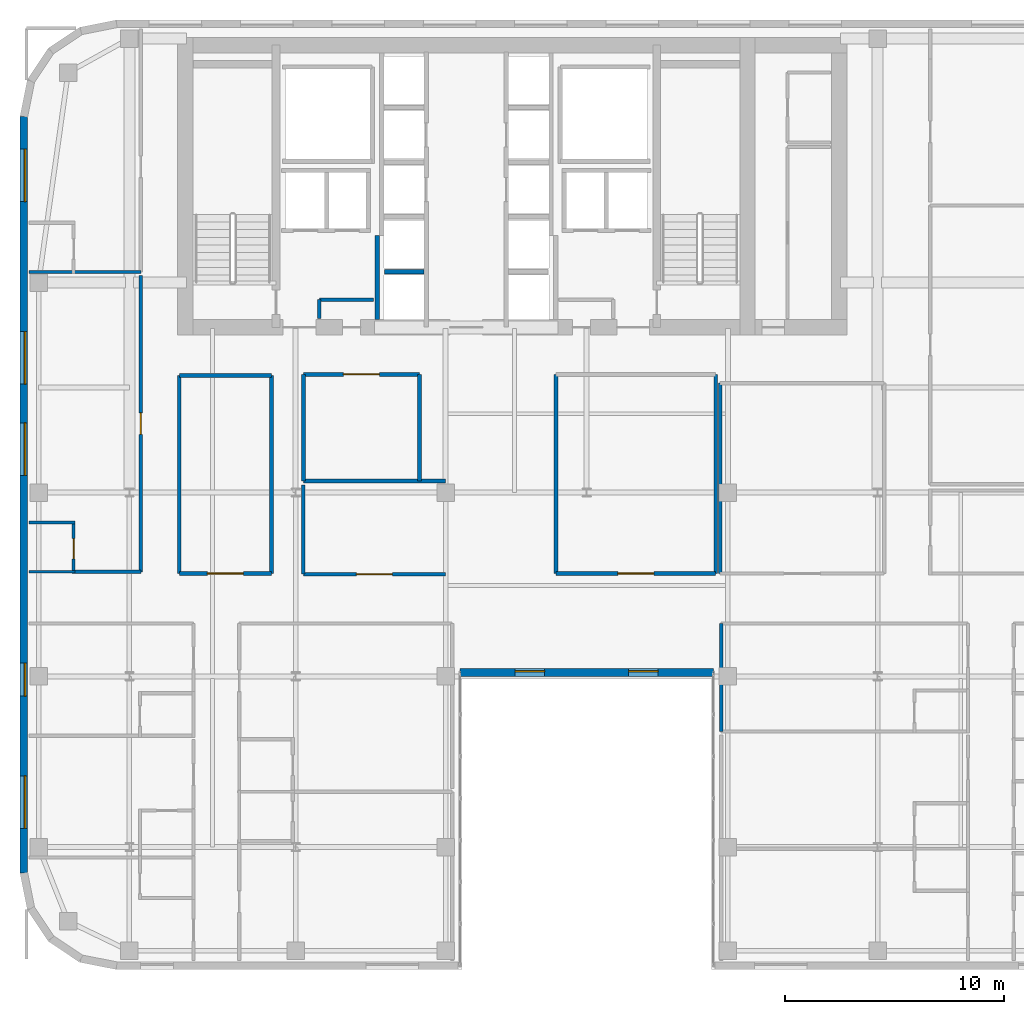
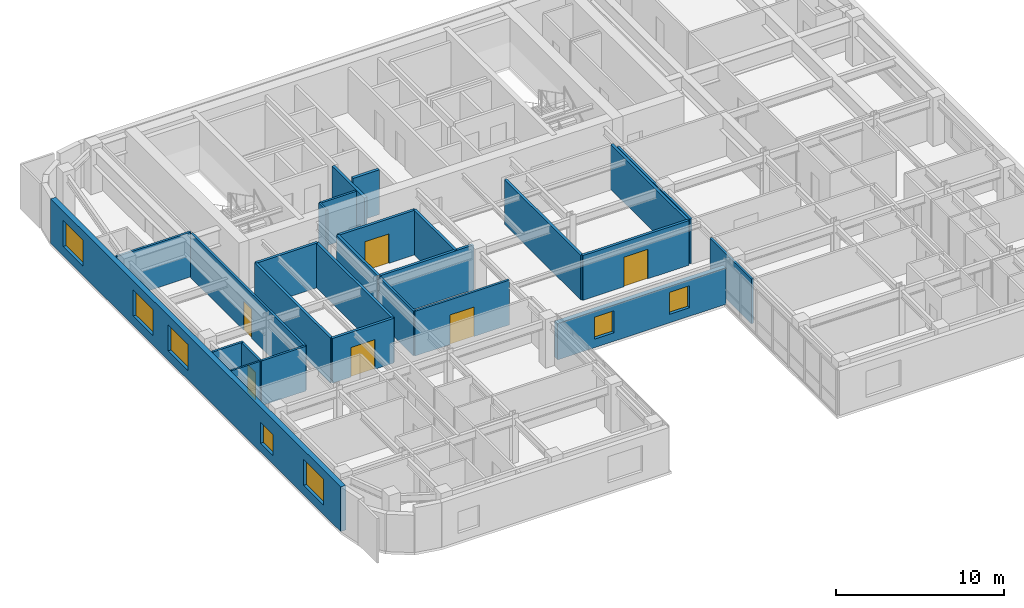
# One storey, part 8 of 14: 27 walls, 7 windows, 6 doors, 13 openings.
"""IFC4 building model written with IfcOpenShell, lengths in metres."""

from ifc_helpers import new_model, si_unit, direction, frame, frame_2d, origin, place, context, subcontext, project, spatial, rectangle, extrude, source, transform, mapped, material, layer, layer_set, type_object, type_shapes, element, fill, save


model = new_model("IFC4")

# Units and contexts
model_context = context("Model", 3, precision=1e-05, world=origin(), true_north=direction((0.0, 1.0)))
body_context = subcontext(model_context, "Body", "Model", "MODEL_VIEW")
ifc_project = project(units=[si_unit("LENGTHUNIT", "METRE"), si_unit("AREAUNIT", "SQUARE_METRE"), si_unit("VOLUMEUNIT", "CUBIC_METRE"), si_unit("PLANEANGLEUNIT", "RADIAN"), si_unit("MASSUNIT", "GRAM", prefix="KILO")], contexts=[model_context])

# Site, building, storey
site_placement = place(None, origin())
site = spatial("IfcSite", under=ifc_project, at=site_placement, CompositionType="ELEMENT")
building_placement = place(site_placement, origin())
building = spatial("IfcBuilding", under=site, at=building_placement, Name="Tolvann Quenvar Hotel", CompositionType="ELEMENT")
storey_placement = place(building_placement, frame((0.0, 0.0, 179.0)))
storey = spatial("IfcBuildingStorey", under=building, at=storey_placement, Name="L47", CompositionType="ELEMENT", Elevation=179.0)

# Wall, openings, windows
ifc_material_1 = material(Name="Kiln-fired red and buff architectural clay brickwork and terracotta masonry", Category="masonry")
ifc_layer_1 = layer(ifc_material_1, 0.35009765625)
ifc_layer_set_1 = layer_set([ifc_layer_1], Name="Kiln-fired red and buff architectural clay brickwork and terracotta masonry")
wall_type_1 = type_object("IfcWallType", Name="WALL_EXT_BRICK_350", PredefinedType="SOLIDWALL", material=ifc_layer_set_1)
wall_1_placement = place(storey_placement, frame((22.7099609375, 16.175048828125, 0.0), z_axis=(0.0, 0.0, 1.0), x_axis=(1.0, 0.0, 0.0)))
wall_1 = element("IfcWall", 1, at=wall_1_placement, inside=storey, type_object=wall_type_1, Name="Exterior Chicago Brick Wall L47-E06", PredefinedType="SOLIDWALL", context=body_context, shape_type="SweptSolid", body=[
    extrude(rectangle(XDim=11.580078125, YDim=0.35009765625, at=frame_2d((5.7900390625, 0.0))), origin(), (0.0, 0.0, 1.0), 2.637939453125),
])
opening_1_placement = place(wall_1_placement, frame((2.52001953125, 0.0, 0.6201171875)))
opening_1 = element("IfcOpeningElement", 2, at=opening_1_placement, cuts=wall_1, Name="Opening W-11", PredefinedType="OPENING", context=body_context, shape_type="SweptSolid", body=[
    extrude(rectangle(XDim=1.35009765625, YDim=1.60009765625, at=frame_2d((0.675048828125, 0.800048828125))), frame((0.0, 0.18505859375, 0.0), z_axis=(0.0, -1.0, 0.0), x_axis=(1.0, 0.0, 0.0)), (0.0, 0.0, 1.0), 0.3701171875),
])
opening_2_placement = place(wall_1_placement, frame((7.7099609375, 0.0, 0.6201171875)))
opening_2 = element("IfcOpeningElement", 3, at=opening_2_placement, cuts=wall_1, Name="Opening W-11", PredefinedType="OPENING", context=body_context, shape_type="SweptSolid", body=[
    extrude(rectangle(XDim=1.35009765625, YDim=1.60009765625, at=frame_2d((0.675048828125, 0.800048828125))), frame((0.0, 0.18505859375, 0.0), z_axis=(0.0, -1.0, 0.0), x_axis=(1.0, 0.0, 0.0)), (0.0, 0.0, 1.0), 0.3701171875),
])
ifc_material_2 = material(Name="Thermally broken bronze-anodised aluminium frame with double low-E glazing", Category="aluminium")
window_type_1 = type_object("IfcWindowType", Name="WIN_ACC_1350x1650", PartitioningType="SINGLE_PANEL", PredefinedType="WINDOW", material=ifc_material_2)
shared_shape_1 = source(origin(), body_context, "Body", "SweptSolid", [
    extrude(rectangle(XDim=1.35009765625, YDim=1.60009765625, at=frame_2d((0.675048828125, 0.800048828125))), frame((0.0, 0.090087890625, 0.0), z_axis=(0.0, -1.0, 0.0), x_axis=(1.0, 0.0, 0.0)), (0.0, 0.0, 1.0), 0.06005859375),
])
type_shapes(window_type_1, [shared_shape_1])
window_1_placement = place(opening_1_placement, origin())
window_1 = element("IfcWindow", 4, at=window_1_placement, inside=storey, type_object=window_type_1, Name="Chicago Window W-11 (EW-L47-E06-W01)", OverallHeight=1.60009765625, OverallWidth=1.35009765625, PartitioningType="SINGLE_PANEL", PredefinedType="WINDOW", context=body_context, shape_type="MappedRepresentation", body=[
    mapped(shared_shape_1, transform((0.0, 0.0, 0.0), x_axis=(1.0, 0.0, 0.0), y_axis=(0.0, 1.0, 0.0), z_axis=(0.0, 0.0, 1.0), scale=1.0)),
])
fill(opening_1, window_1)
window_2_placement = place(opening_2_placement, origin())
window_2 = element("IfcWindow", 5, at=window_2_placement, inside=storey, type_object=window_type_1, Name="Chicago Window W-11 (EW-L47-E06-W02)", OverallHeight=1.60009765625, OverallWidth=1.35009765625, PartitioningType="SINGLE_PANEL", PredefinedType="WINDOW", context=body_context, shape_type="MappedRepresentation", body=[
    mapped(shared_shape_1, transform((0.0, 0.0, 0.0), x_axis=(1.0, 0.0, 0.0), y_axis=(0.0, 1.0, 0.0), z_axis=(0.0, 0.0, 1.0), scale=1.0)),
])
fill(opening_2, window_2)

wall_2_placement = place(storey_placement, frame((2.77490234375, 41.582763671875, 0.0), z_axis=(0.0, 0.0, 1.0), x_axis=(0.0, -1.0, 0.0)))
wall_2 = element("IfcWall", 6, at=wall_2_placement, inside=storey, type_object=wall_type_1, Name="Exterior Chicago Brick Wall L47-E23", PredefinedType="SOLIDWALL", context=body_context, shape_type="SweptSolid", body=[
    extrude(rectangle(XDim=34.565673828125, YDim=0.35009765625, at=frame_2d((17.28271484375, 0.0))), origin(), (0.0, 0.0, 1.0), 3.25),
])
opening_3_placement = place(wall_2_placement, frame((1.485107421875, 0.0, 0.679931640625)))
opening_3 = element("IfcOpeningElement", 7, at=opening_3_placement, cuts=wall_2, Name="Opening W-01", PredefinedType="OPENING", context=body_context, shape_type="SweptSolid", body=[
    extrude(rectangle(XDim=2.39990234375, YDim=1.89990234375, at=frame_2d((1.199951171875, 0.949951171875))), frame((0.0, 0.18505859375, 0.0), z_axis=(0.0, -1.0, 0.0), x_axis=(1.0, 0.0, 0.0)), (0.0, 0.0, 1.0), 0.3701171875),
])
opening_4_placement = place(wall_2_placement, frame((9.826904296875, 0.0, 0.679931640625)))
opening_4 = element("IfcOpeningElement", 8, at=opening_4_placement, cuts=wall_2, Name="Opening W-01", PredefinedType="OPENING", context=body_context, shape_type="SweptSolid", body=[
    extrude(rectangle(XDim=2.39990234375, YDim=1.89990234375, at=frame_2d((1.199951171875, 0.949951171875))), frame((0.0, 0.18505859375, 0.0), z_axis=(0.0, -1.0, 0.0), x_axis=(1.0, 0.0, 0.0)), (0.0, 0.0, 1.0), 0.3701171875),
])
opening_5_placement = place(wall_2_placement, frame((13.9970703125, 0.0, 0.679931640625)))
opening_5 = element("IfcOpeningElement", 9, at=opening_5_placement, cuts=wall_2, Name="Opening W-01", PredefinedType="OPENING", context=body_context, shape_type="SweptSolid", body=[
    extrude(rectangle(XDim=2.39990234375, YDim=1.89990234375, at=frame_2d((1.199951171875, 0.949951171875))), frame((0.0, 0.18505859375, 0.0), z_axis=(0.0, -1.0, 0.0), x_axis=(1.0, 0.0, 0.0)), (0.0, 0.0, 1.0), 0.3701171875),
])
opening_6_placement = place(wall_2_placement, frame((30.1298828125, 0.0, 0.679931640625)))
opening_6 = element("IfcOpeningElement", 10, at=opening_6_placement, cuts=wall_2, Name="Opening W-01", PredefinedType="OPENING", context=body_context, shape_type="SweptSolid", body=[
    extrude(rectangle(XDim=2.39990234375, YDim=1.89990234375, at=frame_2d((1.199951171875, 0.949951171875))), frame((0.0, 0.18505859375, 0.0), z_axis=(0.0, -1.0, 0.0), x_axis=(1.0, 0.0, 0.0)), (0.0, 0.0, 1.0), 0.3701171875),
])
opening_7_placement = place(wall_2_placement, frame((24.98291015625, 0.0, 0.6201171875)))
opening_7 = element("IfcOpeningElement", 11, at=opening_7_placement, cuts=wall_2, Name="Opening W-08", PredefinedType="OPENING", context=body_context, shape_type="SweptSolid", body=[
    extrude(rectangle(XDim=1.5, YDim=1.550048828125, at=frame_2d((0.75, 0.77490234375))), frame((0.0, 0.18505859375, 0.0), z_axis=(0.0, -1.0, 0.0), x_axis=(1.0, 0.0, 0.0)), (0.0, 0.0, 1.0), 0.3701171875),
])
window_type_2 = type_object("IfcWindowType", Name="WIN_COR_1500x2050", PartitioningType="SINGLE_PANEL", PredefinedType="WINDOW", material=ifc_material_2)
shared_shape_2 = source(origin(), body_context, "Body", "SweptSolid", [
    extrude(rectangle(XDim=1.5, YDim=1.550048828125, at=frame_2d((0.75, 0.77490234375))), frame((0.0, 0.090087890625, 0.0), z_axis=(0.0, -1.0, 0.0), x_axis=(1.0, 0.0, 0.0)), (0.0, 0.0, 1.0), 0.06005859375),
])
type_shapes(window_type_2, [shared_shape_2])
window_3_placement = place(opening_7_placement, origin())
window_3 = element("IfcWindow", 12, at=window_3_placement, inside=storey, type_object=window_type_2, Name="Chicago Window W-08 (EW-L47-E23-WD05)", OverallHeight=1.550048828125, OverallWidth=1.5, PartitioningType="SINGLE_PANEL", PredefinedType="WINDOW", context=body_context, shape_type="MappedRepresentation", body=[
    mapped(shared_shape_2, transform((0.0, 0.0, 0.0), x_axis=(1.0, 0.0, 0.0), y_axis=(0.0, 1.0, 0.0), z_axis=(0.0, 0.0, 1.0), scale=1.0)),
])
fill(opening_7, window_3)
window_type_3 = type_object("IfcWindowType", Name="WIN_CHI_2400x2050", PartitioningType="TRIPLE_PANEL_HORIZONTAL", PredefinedType="WINDOW", material=ifc_material_2)
shared_shape_3 = source(origin(), body_context, "Body", "SweptSolid", [
    extrude(rectangle(XDim=2.39990234375, YDim=1.89990234375, at=frame_2d((1.199951171875, 0.949951171875))), frame((0.0, 0.090087890625, 0.0), z_axis=(0.0, -1.0, 0.0), x_axis=(1.0, 0.0, 0.0)), (0.0, 0.0, 1.0), 0.06005859375),
])
type_shapes(window_type_3, [shared_shape_3])
window_4_placement = place(opening_3_placement, origin())
window_4 = element("IfcWindow", 13, at=window_4_placement, inside=storey, type_object=window_type_3, Name="Chicago Window W-01 (EW-L47-E23-W01)", OverallHeight=1.89990234375, OverallWidth=2.39990234375, PartitioningType="TRIPLE_PANEL_HORIZONTAL", PredefinedType="WINDOW", context=body_context, shape_type="MappedRepresentation", body=[
    mapped(shared_shape_3, transform((0.0, 0.0, 0.0), x_axis=(1.0, 0.0, 0.0), y_axis=(0.0, 1.0, 0.0), z_axis=(0.0, 0.0, 1.0), scale=1.0)),
])
fill(opening_3, window_4)
window_5_placement = place(opening_4_placement, origin())
window_5 = element("IfcWindow", 14, at=window_5_placement, inside=storey, type_object=window_type_3, Name="Chicago Window W-01 (EW-L47-E23-W02)", OverallHeight=1.89990234375, OverallWidth=2.39990234375, PartitioningType="TRIPLE_PANEL_HORIZONTAL", PredefinedType="WINDOW", context=body_context, shape_type="MappedRepresentation", body=[
    mapped(shared_shape_3, transform((0.0, 0.0, 0.0), x_axis=(1.0, 0.0, 0.0), y_axis=(0.0, 1.0, 0.0), z_axis=(0.0, 0.0, 1.0), scale=1.0)),
])
fill(opening_4, window_5)
window_6_placement = place(opening_5_placement, origin())
window_6 = element("IfcWindow", 15, at=window_6_placement, inside=storey, type_object=window_type_3, Name="Chicago Window W-01 (EW-L47-E23-W03)", OverallHeight=1.89990234375, OverallWidth=2.39990234375, PartitioningType="TRIPLE_PANEL_HORIZONTAL", PredefinedType="WINDOW", context=body_context, shape_type="MappedRepresentation", body=[
    mapped(shared_shape_3, transform((0.0, 0.0, 0.0), x_axis=(1.0, 0.0, 0.0), y_axis=(0.0, 1.0, 0.0), z_axis=(0.0, 0.0, 1.0), scale=1.0)),
])
fill(opening_5, window_6)
window_7_placement = place(opening_6_placement, origin())
window_7 = element("IfcWindow", 16, at=window_7_placement, inside=storey, type_object=window_type_3, Name="Chicago Window W-01 (EW-L47-E23-W04)", OverallHeight=1.89990234375, OverallWidth=2.39990234375, PartitioningType="TRIPLE_PANEL_HORIZONTAL", PredefinedType="WINDOW", context=body_context, shape_type="MappedRepresentation", body=[
    mapped(shared_shape_3, transform((0.0, 0.0, 0.0), x_axis=(1.0, 0.0, 0.0), y_axis=(0.0, 1.0, 0.0), z_axis=(0.0, 0.0, 1.0), scale=1.0)),
])
fill(opening_6, window_7)

# Wall, opening, door
ifc_material_3 = material(Name="Acoustic twin-stud fire-rated gypsum plasterboard partition")
ifc_layer_2 = layer(ifc_material_3, 0.179931640625)
ifc_layer_set_2 = layer_set([ifc_layer_2], Name="Acoustic twin-stud fire-rated gypsum plasterboard partition")
wall_type_2 = type_object("IfcWallType", Name="WALL_PART_ACOUSTIC_180", PredefinedType="PARTITIONING", material=ifc_layer_set_2)
wall_3_placement = place(storey_placement, frame((9.8798828125, 20.699951171875, 0.0), z_axis=(0.0, 0.0, 1.0), x_axis=(1.0, 0.0, 0.0)))
wall_3 = element("IfcWall", 17, at=wall_3_placement, inside=storey, type_object=wall_type_2, Name="Interior Partition PT-SPC-L47-MSP-W-S", PredefinedType="PARTITIONING", context=body_context, shape_type="SweptSolid", body=[
    extrude(rectangle(XDim=4.22021484375, YDim=0.179931640625, at=frame_2d((2.110107421875, 0.0))), origin(), (0.0, 0.0, 1.0), 3.25),
])
opening_8_placement = place(wall_3_placement, frame((1.284912109375, 0.0, 0.0)))
opening_8 = element("IfcOpeningElement", 18, at=opening_8_placement, cuts=wall_3, Name="Opening AD-01", PredefinedType="OPENING", context=body_context, shape_type="SweptSolid", body=[
    extrude(rectangle(XDim=1.64990234375, YDim=2.14990234375, at=frame_2d((0.824951171875, 1.074951171875))), frame((0.0, 0.10009765625, 0.0), z_axis=(0.0, -1.0, 0.0), x_axis=(1.0, 0.0, 0.0)), (0.0, 0.0, 1.0), 0.199951171875),
])
ifc_material_4 = material(Name="Solid-core American oak acoustic fire door leaf in steel frame", Category="steel")
door_type_1 = type_object("IfcDoorType", Name="DOOR_SALON_1650", OperationType="NOTDEFINED", PredefinedType="DOOR", material=ifc_material_4)
shared_shape_4 = source(origin(), body_context, "Body", "SweptSolid", [
    extrude(rectangle(XDim=1.64990234375, YDim=2.14990234375, at=frame_2d((0.824951171875, 1.074951171875))), frame((0.0, 0.02490234375, 0.0), z_axis=(0.0, -1.0, 0.0), x_axis=(1.0, 0.0, 0.0)), (0.0, 0.0, 1.0), 0.050048828125),
])
type_shapes(door_type_1, [shared_shape_4])
door_1_placement = place(opening_8_placement, origin())
door_1 = element("IfcDoor", 19, at=door_1_placement, inside=storey, type_object=door_type_1, Name="Interior Door DOOR-SPC-L47-MSP-W", OperationType="DOUBLE_DOOR_SINGLE_SWING", OverallHeight=2.14990234375, OverallWidth=1.64990234375, PredefinedType="DOOR", context=body_context, shape_type="MappedRepresentation", body=[
    mapped(shared_shape_4, transform((0.0, 0.0, 0.0), x_axis=(1.0, 0.0, 0.0), y_axis=(0.0, 1.0, 0.0), z_axis=(0.0, 0.0, 1.0), scale=1.0)),
])
fill(opening_8, door_1)

# Walls
wall_4_placement = place(storey_placement, frame((9.8798828125, 29.75, 0.0), z_axis=(0.0, 0.0, 1.0), x_axis=(1.0, 0.0, 0.0)))
element("IfcWall", 20, at=wall_4_placement, inside=storey, type_object=wall_type_2, Name="Interior Partition PT-SPC-L47-MSP-W-N", PredefinedType="PARTITIONING", context=body_context, shape_type="SweptSolid", body=[
    extrude(rectangle(XDim=4.22021484375, YDim=0.179931640625, at=frame_2d((2.110107421875, 0.0))), origin(), (0.0, 0.0, 1.0), 3.25),
])
for number, where, z_axis, x_axis, name in (
    (21, (9.8798828125, 20.699951171875, 0.0), (0.0, 0.0, 1.0), (0.0, 1.0, 0.0), "Interior Partition PT-SPC-L47-MSP-W-W"),
    (22, (14.10009765625, 20.699951171875, 0.0), (0.0, 0.0, 1.0), (0.0, 1.0, 0.0), "Interior Partition PT-SPC-L47-MSP-W-E"),
):
    element("IfcWall", number, at=place(storey_placement, frame(where, z_axis=z_axis, x_axis=x_axis)), inside=storey, type_object=wall_type_2, Name=name, PredefinedType="PARTITIONING", context=body_context, shape_type="SweptSolid", body=[
        extrude(rectangle(XDim=9.050048828125, YDim=0.179931640625, at=frame_2d((4.52490234375, 0.0))), origin(), (0.0, 0.0, 1.0), 3.25),
    ])

# Wall, opening, door
wall_5_placement = place(storey_placement, frame((27.10009765625, 20.699951171875, 0.0), z_axis=(0.0, 0.0, 1.0), x_axis=(1.0, 0.0, 0.0)))
wall_5 = element("IfcWall", 23, at=wall_5_placement, inside=storey, type_object=wall_type_2, Name="Interior Partition PT-SPC-L47-MSP-C-S", PredefinedType="PARTITIONING", context=body_context, shape_type="SweptSolid", body=[
    extrude(rectangle(XDim=7.2998046875, YDim=0.179931640625, at=frame_2d((3.64990234375, 0.0))), origin(), (0.0, 0.0, 1.0), 3.25),
])
opening_9_placement = place(wall_5_placement, frame((2.824951171875, 0.0, 0.0)))
opening_9 = element("IfcOpeningElement", 24, at=opening_9_placement, cuts=wall_5, Name="Opening AD-01", PredefinedType="OPENING", context=body_context, shape_type="SweptSolid", body=[
    extrude(rectangle(XDim=1.64990234375, YDim=2.14990234375, at=frame_2d((0.824951171875, 1.074951171875))), frame((0.0, 0.10009765625, 0.0), z_axis=(0.0, -1.0, 0.0), x_axis=(1.0, 0.0, 0.0)), (0.0, 0.0, 1.0), 0.199951171875),
])
door_2_placement = place(opening_9_placement, origin())
door_2 = element("IfcDoor", 25, at=door_2_placement, inside=storey, type_object=door_type_1, Name="Interior Door DOOR-SPC-L47-MSP-C", OperationType="DOUBLE_DOOR_SINGLE_SWING", OverallHeight=2.14990234375, OverallWidth=1.64990234375, PredefinedType="DOOR", context=body_context, shape_type="MappedRepresentation", body=[
    mapped(shared_shape_4, transform((0.0, 0.0, 0.0), x_axis=(1.0, 0.0, 0.0), y_axis=(0.0, 1.0, 0.0), z_axis=(0.0, 0.0, 1.0), scale=1.0)),
])
fill(opening_9, door_2)

# Walls
for number, where, z_axis, x_axis, name in (
    (26, (27.10009765625, 20.699951171875, 0.0), (0.0, 0.0, 1.0), (0.0, 1.0, 0.0), "Interior Partition PT-SPC-L47-MSP-C-W"),
    (27, (34.39990234375, 20.699951171875, 0.0), (0.0, 0.0, 1.0), (0.0, 1.0, 0.0), "Interior Partition PT-SPC-L47-MSP-C-E"),
):
    element("IfcWall", number, at=place(storey_placement, frame(where, z_axis=z_axis, x_axis=x_axis)), inside=storey, type_object=wall_type_2, Name=name, PredefinedType="PARTITIONING", context=body_context, shape_type="SweptSolid", body=[
        extrude(rectangle(XDim=9.10009765625, YDim=0.179931640625, at=frame_2d((4.550048828125, 0.0))), origin(), (0.0, 0.0, 1.0), 3.25),
    ])
wall_6_placement = place(storey_placement, frame((15.550048828125, 24.919921875, 0.0), z_axis=(0.0, 0.0, 1.0), x_axis=(1.0, 0.0, 0.0)))
element("IfcWall", 28, at=wall_6_placement, inside=storey, type_object=wall_type_2, Name="Interior Partition PT-SPC-L47-MSP-N-S", PredefinedType="PARTITIONING", context=body_context, shape_type="SweptSolid", body=[
    extrude(rectangle(XDim=6.489990234375, YDim=0.179931640625, at=frame_2d((3.2451171875, 0.0))), origin(), (0.0, 0.0, 1.0), 3.25),
])

# Wall, opening, door
wall_7_placement = place(storey_placement, frame((15.550048828125, 29.800048828125, 0.0), z_axis=(0.0, 0.0, 1.0), x_axis=(1.0, 0.0, 0.0)))
wall_7 = element("IfcWall", 29, at=wall_7_placement, inside=storey, type_object=wall_type_2, Name="Interior Partition PT-SPC-L47-MSP-N-N", PredefinedType="PARTITIONING", context=body_context, shape_type="SweptSolid", body=[
    extrude(rectangle(XDim=5.300048828125, YDim=0.179931640625, at=frame_2d((2.64990234375, 0.0))), origin(), (0.0, 0.0, 1.0), 3.25),
])
opening_10_placement = place(wall_7_placement, frame((1.824951171875, 0.0, 0.0)))
opening_10 = element("IfcOpeningElement", 30, at=opening_10_placement, cuts=wall_7, Name="Opening AD-01", PredefinedType="OPENING", context=body_context, shape_type="SweptSolid", body=[
    extrude(rectangle(XDim=1.64990234375, YDim=2.14990234375, at=frame_2d((0.824951171875, 1.074951171875))), frame((0.0, 0.10009765625, 0.0), z_axis=(0.0, -1.0, 0.0), x_axis=(1.0, 0.0, 0.0)), (0.0, 0.0, 1.0), 0.199951171875),
])
door_3_placement = place(opening_10_placement, origin())
door_3 = element("IfcDoor", 31, at=door_3_placement, inside=storey, type_object=door_type_1, Name="Interior Door DOOR-SPC-L47-MSP-N", OperationType="DOUBLE_DOOR_SINGLE_SWING", OverallHeight=2.14990234375, OverallWidth=1.64990234375, PredefinedType="DOOR", context=body_context, shape_type="MappedRepresentation", body=[
    mapped(shared_shape_4, transform((0.0, 0.0, 0.0), x_axis=(1.0, 0.0, 0.0), y_axis=(0.0, 1.0, 0.0), z_axis=(0.0, 0.0, 1.0), scale=1.0)),
])
fill(opening_10, door_3)

# Walls
for number, where, z_axis, x_axis, name in (
    (32, (15.550048828125, 24.919921875, 0.0), (0.0, 0.0, 1.0), (0.0, 1.0, 0.0), "Interior Partition PT-SPC-L47-MSP-N-W"),
    (33, (20.85009765625, 24.919921875, 0.0), (0.0, 0.0, 1.0), (0.0, 1.0, 0.0), "Interior Partition PT-SPC-L47-MSP-N-E"),
):
    element("IfcWall", number, at=place(storey_placement, frame(where, z_axis=z_axis, x_axis=x_axis)), inside=storey, type_object=wall_type_2, Name=name, PredefinedType="PARTITIONING", context=body_context, shape_type="SweptSolid", body=[
        extrude(rectangle(XDim=4.880126953125, YDim=0.179931640625, at=frame_2d((2.43994140625, 0.0))), origin(), (0.0, 0.0, 1.0), 3.25),
    ])
ifc_material_5 = material(Name="Moisture-resistant acoustic plumbing wall assembly")
ifc_layer_3 = layer(ifc_material_5, 0.1201171875)
ifc_layer_set_3 = layer_set([ifc_layer_3], Name="Moisture-resistant acoustic plumbing wall assembly")
wall_type_3 = type_object("IfcWallType", Name="WALL_PART_BATH_120", PredefinedType="PLUMBINGWALL", material=ifc_layer_set_3)
wall_8_placement = place(storey_placement, frame((3.0048828125, 20.780029296875, 0.0), z_axis=(0.0, 0.0, 1.0), x_axis=(1.0, 0.0, 0.0)))
element("IfcWall", 34, at=wall_8_placement, inside=storey, type_object=wall_type_3, Name="Non-Rated Plumbing Partition PT-SPC-L47-ENS-NW01-S", PredefinedType="PLUMBINGWALL", context=body_context, shape_type="SweptSolid", body=[
    extrude(rectangle(XDim=2.115234375, YDim=0.1201171875, at=frame_2d((1.0576171875, 0.0))), origin(), (0.0, 0.0, 1.0), 3.25),
])

# Wall, opening, door
ifc_layer_4 = layer(ifc_material_3, 0.14990234375)
ifc_layer_set_4 = layer_set([ifc_layer_4], Name="Acoustic twin-stud fire-rated gypsum plasterboard partition")
wall_type_4 = type_object("IfcWallType", Name="WALL_PART_SUITE_150", PredefinedType="PARTITIONING", material=ifc_layer_set_4)
wall_9_placement = place(storey_placement, frame((5.050048828125, 20.7099609375, 0.0), z_axis=(0.0, 0.0, 1.0), x_axis=(0.0, 1.0, 0.0)))
wall_9 = element("IfcWall", 35, at=wall_9_placement, inside=storey, type_object=wall_type_4, Name="Interior Partition PT-SPC-L47-ENS-NW01-ENT", PredefinedType="PARTITIONING", context=body_context, shape_type="SweptSolid", body=[
    extrude(rectangle(XDim=2.39013671875, YDim=0.14990234375, at=frame_2d((1.195068359375, 0.0))), origin(), (0.0, 0.0, 1.0), 3.25),
])
opening_11_placement = place(wall_9_placement, frame((0.6650390625, 0.0, 0.0)))
opening_11 = element("IfcOpeningElement", 36, at=opening_11_placement, cuts=wall_9, Name="Opening WD-01", PredefinedType="OPENING", context=body_context, shape_type="SweptSolid", body=[
    extrude(rectangle(XDim=0.919921875, YDim=2.010009765625, at=frame_2d((0.4599609375, 1.0048828125))), frame((0.0, 0.0849609375, 0.0), z_axis=(0.0, -1.0, 0.0), x_axis=(1.0, 0.0, 0.0)), (0.0, 0.0, 1.0), 0.169921875),
])
door_type_2 = type_object("IfcDoorType", Name="DOOR_WC_920", OperationType="NOTDEFINED", PredefinedType="DOOR", material=ifc_material_4)
shared_shape_5 = source(origin(), body_context, "Body", "SweptSolid", [
    extrude(rectangle(XDim=0.919921875, YDim=2.010009765625, at=frame_2d((0.4599609375, 1.0048828125))), frame((0.0, 0.02490234375, 0.0), z_axis=(0.0, -1.0, 0.0), x_axis=(1.0, 0.0, 0.0)), (0.0, 0.0, 1.0), 0.050048828125),
])
type_shapes(door_type_2, [shared_shape_5])
door_4_placement = place(opening_11_placement, origin())
door_4 = element("IfcDoor", 37, at=door_4_placement, inside=storey, type_object=door_type_2, Name="Interior Door DOOR-SPC-L47-ENS-NW01", OperationType="SINGLE_SWING_RIGHT", OverallHeight=2.010009765625, OverallWidth=0.919921875, PredefinedType="DOOR", context=body_context, shape_type="MappedRepresentation", body=[
    mapped(shared_shape_5, transform((0.0, 0.0, 0.0), x_axis=(1.0, 0.0, 0.0), y_axis=(0.0, 1.0, 0.0), z_axis=(0.0, 0.0, 1.0), scale=1.0)),
])
fill(opening_11, door_4)

# Walls
wall_10_placement = place(storey_placement, frame((3.0048828125, 23.030029296875, 0.0), z_axis=(0.0, 0.0, 1.0), x_axis=(1.0, 0.0, 0.0)))
element("IfcWall", 38, at=wall_10_placement, inside=storey, type_object=wall_type_4, Name="Interior Partition PT-SPC-L47-ENS-NW01-N", PredefinedType="PARTITIONING", context=body_context, shape_type="SweptSolid", body=[
    extrude(rectangle(XDim=2.115234375, YDim=0.14990234375, at=frame_2d((1.0576171875, 0.0))), origin(), (0.0, 0.0, 1.0), 3.25),
])
wall_11_placement = place(storey_placement, frame((3.0048828125, 34.47998046875, 0.0), z_axis=(0.0, 0.0, 1.0), x_axis=(1.0, 0.0, 0.0)))
element("IfcWall", 39, at=wall_11_placement, inside=storey, type_object=wall_type_4, Name="Interior Partition PT-SPC-L47-ENS-NW02-S", PredefinedType="PARTITIONING", context=body_context, shape_type="SweptSolid", body=[
    extrude(rectangle(XDim=5.115234375, YDim=0.14990234375, at=frame_2d((2.5576171875, 0.0))), origin(), (0.0, 0.0, 1.0), 3.25),
])
wall_12_placement = place(storey_placement, frame((16.280029296875, 33.219970703125, 0.0), z_axis=(0.0, 0.0, 1.0), x_axis=(1.0, 0.0, 0.0)))
element("IfcWall", 40, at=wall_12_placement, inside=storey, type_object=wall_type_4, Name="Interior Partition PT-SPC-L47-CSW-1-N", PredefinedType="PARTITIONING", context=body_context, shape_type="SweptSolid", body=[
    extrude(rectangle(XDim=2.48486328125, YDim=0.14990234375, at=frame_2d((1.242431640625, 0.0))), origin(), (0.0, 0.0, 1.0), 3.25),
])
wall_13_placement = place(storey_placement, frame((16.280029296875, 32.35498046875, 0.0), z_axis=(0.0, 0.0, 1.0), x_axis=(0.0, 1.0, 0.0)))
element("IfcWall", 41, at=wall_13_placement, inside=storey, type_object=wall_type_4, Name="Interior Partition PT-SPC-L47-CSW-1-W", PredefinedType="PARTITIONING", context=body_context, shape_type="SweptSolid", body=[
    extrude(rectangle(XDim=0.864990234375, YDim=0.14990234375, at=frame_2d((0.4326171875, 0.0))), origin(), (0.0, 0.0, 1.0), 3.25),
])
wall_14_placement = place(storey_placement, frame((34.64990234375, 13.47998046875, 0.0), z_axis=(0.0, 0.0, 1.0), x_axis=(0.0, 1.0, 0.0)))
element("IfcWall", 42, at=wall_14_placement, inside=storey, type_object=wall_type_4, Name="Interior Partition PT-SPC-L47-RM-EI03-E6", PredefinedType="PARTITIONING", context=body_context, shape_type="SweptSolid", body=[
    extrude(rectangle(XDim=4.93994140625, YDim=0.14990234375, at=frame_2d((2.469970703125, 0.0))), origin(), (0.0, 0.0, 1.0), 3.25),
])

# Wall, opening, door
wall_15_placement = place(storey_placement, frame((8.1201171875, 20.780029296875, 0.0), z_axis=(0.0, 0.0, 1.0), x_axis=(0.0, 1.0, 0.0)))
wall_15 = element("IfcWall", 43, at=wall_15_placement, inside=storey, type_object=wall_type_4, Name="Interior Partition PT-SPC-L47-RM-NW01-ENT", PredefinedType="PARTITIONING", context=body_context, shape_type="SweptSolid", body=[
    extrude(rectangle(XDim=13.5400390625, YDim=0.14990234375, at=frame_2d((6.77001953125, 0.0))), origin(), (0.0, 0.0, 1.0), 3.25),
])
opening_12_placement = place(wall_15_placement, frame((6.280029296875, 0.0, 0.0)))
opening_12 = element("IfcOpeningElement", 44, at=opening_12_placement, cuts=wall_15, Name="Opening SD-01", PredefinedType="OPENING", context=body_context, shape_type="SweptSolid", body=[
    extrude(rectangle(XDim=0.97998046875, YDim=2.1201171875, at=frame_2d((0.489990234375, 1.06005859375))), frame((0.0, 0.0849609375, 0.0), z_axis=(0.0, -1.0, 0.0), x_axis=(1.0, 0.0, 0.0)), (0.0, 0.0, 1.0), 0.169921875),
])
door_type_3 = type_object("IfcDoorType", Name="DOOR_SUITE_980", OperationType="NOTDEFINED", PredefinedType="DOOR", material=ifc_material_4)
shared_shape_6 = source(origin(), body_context, "Body", "SweptSolid", [
    extrude(rectangle(XDim=0.97998046875, YDim=2.1201171875, at=frame_2d((0.489990234375, 1.06005859375))), frame((0.0, 0.02490234375, 0.0), z_axis=(0.0, -1.0, 0.0), x_axis=(1.0, 0.0, 0.0)), (0.0, 0.0, 1.0), 0.050048828125),
])
type_shapes(door_type_3, [shared_shape_6])
door_5_placement = place(opening_12_placement, origin())
door_5 = element("IfcDoor", 45, at=door_5_placement, inside=storey, type_object=door_type_3, Name="Interior Door DOOR-SPC-L47-RM-NW01", OperationType="SINGLE_SWING_LEFT", OverallHeight=2.1201171875, OverallWidth=0.97998046875, PredefinedType="DOOR", context=body_context, shape_type="MappedRepresentation", body=[
    mapped(shared_shape_6, transform((0.0, 0.0, 0.0), x_axis=(1.0, 0.0, 0.0), y_axis=(0.0, 1.0, 0.0), z_axis=(0.0, 0.0, 1.0), scale=1.0)),
])
fill(opening_12, door_5)

# Wall
wall_16_placement = place(storey_placement, frame((5.070068359375, 20.780029296875, 0.0), z_axis=(0.0, 0.0, 1.0), x_axis=(1.0, 0.0, 0.0)))
element("IfcWall", 46, at=wall_16_placement, inside=storey, type_object=wall_type_4, Name="Interior Partition PT-SPC-L47-RM-NW01-E3", PredefinedType="PARTITIONING", context=body_context, shape_type="SweptSolid", body=[
    extrude(rectangle(XDim=3.050048828125, YDim=0.14990234375, at=frame_2d((1.52490234375, 0.0))), origin(), (0.0, 0.0, 1.0), 3.25),
])

# Wall, opening, door
wall_17_placement = place(storey_placement, frame((15.550048828125, 20.669921875, 0.0), z_axis=(0.0, 0.0, 1.0), x_axis=(1.0, 0.0, 0.0)))
wall_17 = element("IfcWall", 47, at=wall_17_placement, inside=storey, type_object=wall_type_4, Name="Interior Partition PT-SPC-L47-MSP-CTR-S", PredefinedType="PARTITIONING", context=body_context, shape_type="SweptSolid", body=[
    extrude(rectangle(XDim=6.489990234375, YDim=0.14990234375, at=frame_2d((3.2451171875, 0.0))), origin(), (0.0, 0.0, 1.0), 3.25),
])
opening_13_placement = place(wall_17_placement, frame((2.419921875, 0.0, 0.0)))
opening_13 = element("IfcOpeningElement", 48, at=opening_13_placement, cuts=wall_17, Name="Opening AD-01", PredefinedType="OPENING", context=body_context, shape_type="SweptSolid", body=[
    extrude(rectangle(XDim=1.64990234375, YDim=2.14990234375, at=frame_2d((0.824951171875, 1.074951171875))), frame((0.0, 0.0849609375, 0.0), z_axis=(0.0, -1.0, 0.0), x_axis=(1.0, 0.0, 0.0)), (0.0, 0.0, 1.0), 0.169921875),
])
door_6_placement = place(opening_13_placement, origin())
door_6 = element("IfcDoor", 49, at=door_6_placement, inside=storey, type_object=door_type_1, Name="Interior Door DOOR-SPC-L47-MSP-CTR", OperationType="DOUBLE_DOOR_SINGLE_SWING", OverallHeight=2.14990234375, OverallWidth=1.64990234375, PredefinedType="DOOR", context=body_context, shape_type="MappedRepresentation", body=[
    mapped(shared_shape_4, transform((0.0, 0.0, 0.0), x_axis=(1.0, 0.0, 0.0), y_axis=(0.0, 1.0, 0.0), z_axis=(0.0, 0.0, 1.0), scale=1.0)),
])
fill(opening_13, door_6)

# Walls
wall_18_placement = place(storey_placement, frame((15.550048828125, 20.669921875, 0.0), z_axis=(0.0, 0.0, 1.0), x_axis=(0.0, 1.0, 0.0)))
element("IfcWall", 50, at=wall_18_placement, inside=storey, type_object=wall_type_4, Name="Interior Partition PT-SPC-L47-MSP-CTR-W", PredefinedType="PARTITIONING", context=body_context, shape_type="SweptSolid", body=[
    extrude(rectangle(XDim=4.080078125, YDim=0.14990234375, at=frame_2d((2.0400390625, 0.0))), origin(), (0.0, 0.0, 1.0), 3.25),
])
wall_19_placement = place(storey_placement, frame((34.60009765625, 20.699951171875, 0.0), z_axis=(0.0, 0.0, 1.0), x_axis=(0.0, 1.0, 0.0)))
element("IfcWall", 51, at=wall_19_placement, inside=storey, type_object=wall_type_4, Name="Interior Partition PT-SPC-L47-MSP-E-W", PredefinedType="PARTITIONING", context=body_context, shape_type="SweptSolid", body=[
    extrude(rectangle(XDim=8.699951171875, YDim=0.14990234375, at=frame_2d((4.35009765625, 0.0))), origin(), (0.0, 0.0, 1.0), 3.25),
])
ifc_material_6 = material(Name="Concrete N40 (40 MPa)", Category="concrete")
ifc_layer_5 = layer(ifc_material_6, 0.199951171875)
ifc_layer_set_5 = layer_set([ifc_layer_5], Name="Concrete N40 (40 MPa)")
wall_type_5 = type_object("IfcWallType", Name="WALL_SHAFT_200", PredefinedType="SOLIDWALL", material=ifc_layer_set_5)
wall_20_placement = place(storey_placement, frame((18.919921875, 32.303955078125, 0.0), z_axis=(0.0, 0.0, 1.0), x_axis=(0.0, 1.0, 0.0)))
element("IfcWall", 52, at=wall_20_placement, inside=storey, type_object=wall_type_5, Name="Firefighting Lobby W Inner Fire Wall (L47)", PredefinedType="SOLIDWALL", context=body_context, shape_type="SweptSolid", body=[
    extrude(rectangle(XDim=3.845947265625, YDim=0.199951171875, at=frame_2d((1.9228515625, 0.0))), origin(), (0.0, 0.0, 1.0), 3.25),
])
wall_21_placement = place(storey_placement, frame((19.27001953125, 34.5, 0.0), z_axis=(0.0, 0.0, 1.0), x_axis=(1.0, 0.0, 0.0)))
element("IfcWall", 53, at=wall_21_placement, inside=storey, type_object=wall_type_5, Name="Lift Bank E21.1C1 Divider Wall 1 (L47)", PredefinedType="SOLIDWALL", context=body_context, shape_type="SweptSolid", body=[
    extrude(rectangle(XDim=1.800048828125, YDim=0.199951171875, at=frame_2d((0.89990234375, 0.0))), origin(), (0.0, 0.0, 1.0), 3.25),
])

save(model, "model.ifc")
